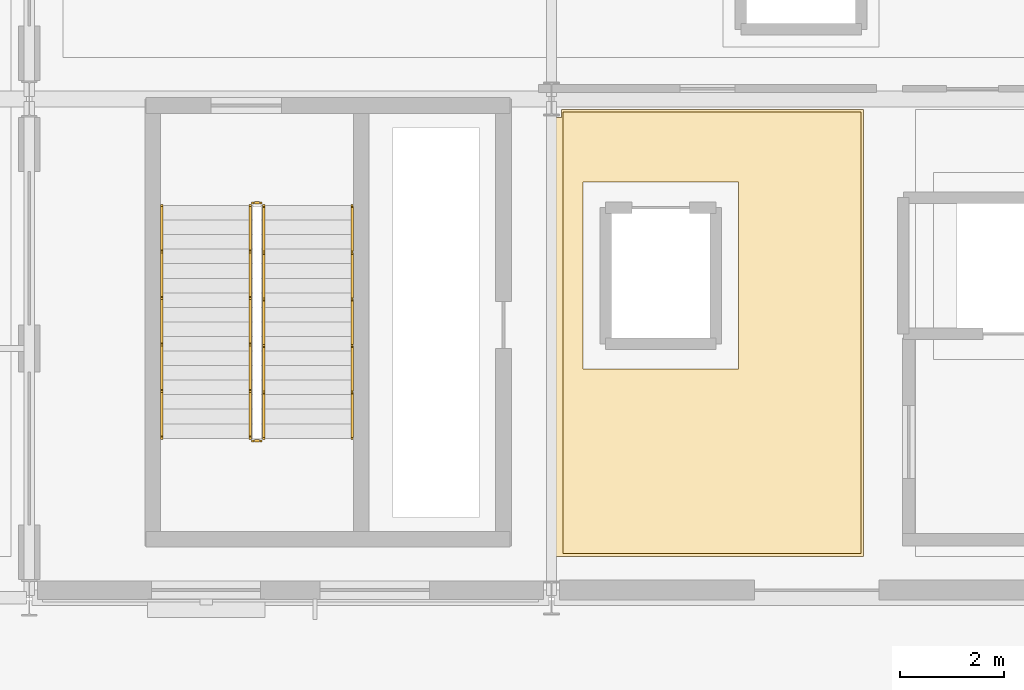
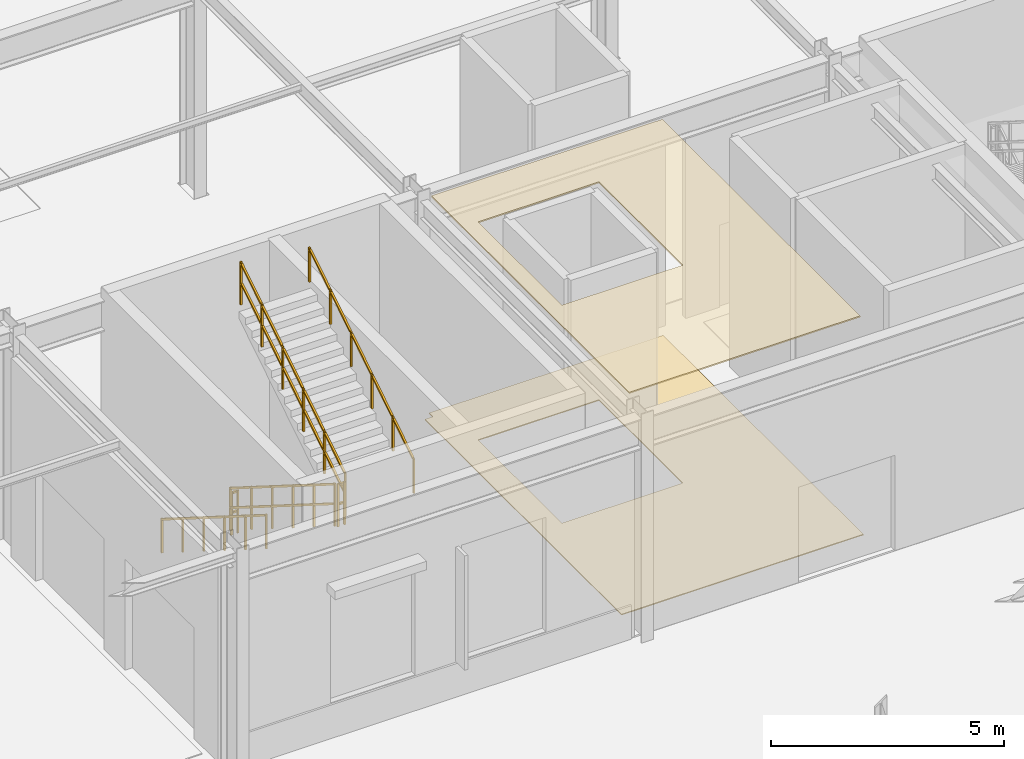
# One storey, part 83 of 113: 6 railings, 2 coverings.
"""IFC4 building model written with IfcOpenShell, lengths in metres."""

from ifc_helpers import new_model, si_unit, direction, frame, origin, origin_2d, place, context, subcontext, project, spatial, polyline, rectangle, outline, extrude, material, layer, layer_set, type_object, element, save


model = new_model("IFC4")

# Units and contexts
model_context = context("Model", 3, precision=1e-05, world=origin(), true_north=direction((0.0, 1.0)))
body_context = subcontext(model_context, "Body", "Model", "MODEL_VIEW")
ifc_project = project(units=[si_unit("LENGTHUNIT", "METRE"), si_unit("AREAUNIT", "SQUARE_METRE"), si_unit("VOLUMEUNIT", "CUBIC_METRE"), si_unit("PLANEANGLEUNIT", "RADIAN"), si_unit("MASSUNIT", "GRAM", prefix="KILO")], contexts=[model_context])

# Site, building, storey
site_placement = place(None, origin())
site = spatial("IfcSite", under=ifc_project, at=site_placement, CompositionType="ELEMENT")
building_placement = place(site_placement, origin())
building = spatial("IfcBuilding", under=site, at=building_placement, Name="Myrtia Square Station", CompositionType="ELEMENT")
storey_placement = place(building_placement, origin())
storey = spatial("IfcBuildingStorey", under=building, at=storey_placement, Name="L00", CompositionType="ELEMENT", Elevation=0.0)

# Coverings
ifc_material_1 = material(Name="Gypsum plasterboard")
ifc_layer_1 = layer(ifc_material_1, 0.034912109375, Name="Gypsum plasterboard")
ifc_layer_set_1 = layer_set([ifc_layer_1], Name="Gypsum plasterboard")
covering_type_1 = type_object("IfcCoveringType", Name="COV-CEIL-ACOUSTIC", PredefinedType="CEILING", material=ifc_layer_set_1)
covering_1_placement = place(storey_placement, frame((0.0, 0.0, 5.705078125)))
element("IfcCovering", 1, at=covering_1_placement, inside=storey, type_object=covering_type_1, Name="Acoustic coffer ceiling L00-04", PredefinedType="CEILING", context=body_context, shape_type="SweptSolid", body=[
    extrude(outline(polyline([(95.35009765625, 38.14990234375), (95.35009765625, 29.64990234375), (89.6201171875, 29.64990234375), (89.6201171875, 38.14990234375), (95.35009765625, 38.14990234375)]), holes=[polyline([(93.0, 36.800048828125), (90.0, 36.800048828125), (90.0, 33.199951171875), (93.0, 33.199951171875), (93.0, 36.800048828125)])]), origin(), (0.0, 0.0, 1.0), 0.034912109375),
])
ifc_material_2 = material(Name="Terrazzo stone tile", Category="masonry")
ifc_layer_2 = layer(ifc_material_2, 0.02490234375, Name="Terrazzo stone tile")
ifc_layer_set_2 = layer_set([ifc_layer_2], Name="Terrazzo stone tile")
covering_type_2 = type_object("IfcCoveringType", Name="COV-FLR-TERRAZZO", PredefinedType="FLOORING", material=ifc_layer_set_2)
covering_2_placement = place(storey_placement, origin())
element("IfcCovering", 2, at=covering_2_placement, inside=storey, type_object=covering_type_2, Name="Terrazzo room flooring L00-04", PredefinedType="FLOORING", context=body_context, shape_type="SweptSolid", body=[
    extrude(outline(polyline([(89.39990234375, 38.0400390625), (89.590087890625, 38.0400390625), (89.590087890625, 38.199951171875), (95.39990234375, 38.199951171875), (95.39990234375, 29.60009765625), (89.39990234375, 29.60009765625), (89.39990234375, 38.0400390625)]), holes=[polyline([(93.0, 33.199951171875), (93.0, 36.800048828125), (90.0, 36.800048828125), (90.0, 33.199951171875), (93.0, 33.199951171875)])]), origin(), (0.0, 0.0, 1.0), 0.02490234375),
])

# Railings
ifc_material_3 = material(Name="Dark bronze anodised aluminium", Category="aluminium")
railing_type_1 = type_object("IfcRailingType", Name="RL-HANDRAIL-900", PredefinedType="HANDRAIL", material=ifc_material_3)
railing_1_placement = place(storey_placement, frame((81.89990234375, 36.35009765625, 0.176513671875)))
element("IfcRailing", 3, at=railing_1_placement, inside=storey, type_object=railing_type_1, Name="L00 ST01 stair handrail 1", PredefinedType="HANDRAIL", context=body_context, shape_type="SweptSolid", body=[
    extrude(rectangle(XDim=0.048095703125, YDim=0.048095703125, at=origin_2d()), frame((0.0, -0.029296875, 0.894287109375), z_axis=(0.0, -0.845997938375, 0.533186166611), x_axis=(1.0, 0.0, 0.0)), (0.0, 0.0, 1.0), 0.98974609375),
    extrude(rectangle(XDim=0.048095703125, YDim=0.048095703125, at=origin_2d()), frame((0.0, -0.92529296875, 1.458984375), z_axis=(0.0, -0.845997938375, 0.533186166611), x_axis=(1.0, 0.0, 0.0)), (0.0, 0.0, 1.0), 0.98974609375),
    extrude(rectangle(XDim=0.048095703125, YDim=0.048095703125, at=origin_2d()), frame((0.0, -1.8212890625, 2.023681640625), z_axis=(0.0, -0.845997938375, 0.533186166611), x_axis=(1.0, 0.0, 0.0)), (0.0, 0.0, 1.0), 0.98974609375),
    extrude(rectangle(XDim=0.048095703125, YDim=0.048095703125, at=origin_2d()), frame((0.0, -2.71728515625, 2.58837890625), z_axis=(0.0, -0.845997938375, 0.533186166611), x_axis=(1.0, 0.0, 0.0)), (0.0, 0.0, 1.0), 0.98974609375),
    extrude(rectangle(XDim=0.048095703125, YDim=0.048095703125, at=origin_2d()), frame((0.0, -3.61328125, 3.153076171875), z_axis=(0.0, -0.845997938375, 0.533186166611), x_axis=(1.0, 0.0, 0.0)), (0.0, 0.0, 1.0), 0.98974609375),
    extrude(rectangle(XDim=0.0439453125, YDim=0.0439453125, at=origin_2d()), origin(), (0.0, 0.0, 1.0), 0.89990234375),
    extrude(rectangle(XDim=0.0439453125, YDim=0.0439453125, at=origin_2d()), frame((0.0, -0.89599609375, 0.564697265625)), (0.0, 0.0, 1.0), 0.89990234375),
    extrude(rectangle(XDim=0.0439453125, YDim=0.0439453125, at=origin_2d()), frame((0.0, -1.7919921875, 1.12939453125)), (0.0, 0.0, 1.0), 0.89990234375),
    extrude(rectangle(XDim=0.0439453125, YDim=0.0439453125, at=origin_2d()), frame((0.0, -2.68798828125, 1.694091796875)), (0.0, 0.0, 1.0), 0.89990234375),
    extrude(rectangle(XDim=0.0439453125, YDim=0.0439453125, at=origin_2d()), frame((0.0, -3.583984375, 2.2587890625)), (0.0, 0.0, 1.0), 0.89990234375),
    extrude(rectangle(XDim=0.0439453125, YDim=0.0439453125, at=origin_2d()), frame((0.0, -4.47998046875, 2.823486328125)), (0.0, 0.0, 1.0), 0.89990234375),
])
railing_2_placement = place(storey_placement, frame((85.56005859375, 31.8701171875, 3.176513671875)))
element("IfcRailing", 4, at=railing_2_placement, inside=storey, type_object=railing_type_1, Name="L00 ST01 stair handrail 2", PredefinedType="HANDRAIL", context=body_context, shape_type="SweptSolid", body=[
    extrude(rectangle(XDim=0.048095703125, YDim=0.048095703125, at=origin_2d()), frame((0.0, 0.029296875, 0.894287109375), z_axis=(0.0, 0.845997938375, 0.533186166611), x_axis=(-1.0, 0.0, 0.0)), (0.0, 0.0, 1.0), 0.98974609375),
    extrude(rectangle(XDim=0.048095703125, YDim=0.048095703125, at=origin_2d()), frame((0.0, 0.92529296875, 1.458984375), z_axis=(0.0, 0.845997938375, 0.533186166611), x_axis=(-1.0, 0.0, 0.0)), (0.0, 0.0, 1.0), 0.98974609375),
    extrude(rectangle(XDim=0.048095703125, YDim=0.048095703125, at=origin_2d()), frame((0.0, 1.8212890625, 2.023681640625), z_axis=(0.0, 0.845997938375, 0.533186166611), x_axis=(-1.0, 0.0, 0.0)), (0.0, 0.0, 1.0), 0.98974609375),
    extrude(rectangle(XDim=0.048095703125, YDim=0.048095703125, at=origin_2d()), frame((0.0, 2.71728515625, 2.58837890625), z_axis=(0.0, 0.845997938375, 0.533186166611), x_axis=(-1.0, 0.0, 0.0)), (0.0, 0.0, 1.0), 0.98974609375),
    extrude(rectangle(XDim=0.048095703125, YDim=0.048095703125, at=origin_2d()), frame((0.0, 3.61328125, 3.153076171875), z_axis=(0.0, 0.845997938375, 0.533186166611), x_axis=(-1.0, 0.0, 0.0)), (0.0, 0.0, 1.0), 0.98974609375),
    extrude(rectangle(XDim=0.0439453125, YDim=0.0439453125, at=origin_2d()), origin(), (0.0, 0.0, 1.0), 0.89990234375),
    extrude(rectangle(XDim=0.0439453125, YDim=0.0439453125, at=origin_2d()), frame((0.0, 0.89599609375, 0.564697265625)), (0.0, 0.0, 1.0), 0.89990234375),
    extrude(rectangle(XDim=0.0439453125, YDim=0.0439453125, at=origin_2d()), frame((0.0, 1.7919921875, 1.12939453125)), (0.0, 0.0, 1.0), 0.89990234375),
    extrude(rectangle(XDim=0.0439453125, YDim=0.0439453125, at=origin_2d()), frame((0.0, 2.68798828125, 1.694091796875)), (0.0, 0.0, 1.0), 0.89990234375),
    extrude(rectangle(XDim=0.0439453125, YDim=0.0439453125, at=origin_2d()), frame((0.0, 3.583984375, 2.2587890625)), (0.0, 0.0, 1.0), 0.89990234375),
    extrude(rectangle(XDim=0.0439453125, YDim=0.0439453125, at=origin_2d()), frame((0.0, 4.47998046875, 2.823486328125)), (0.0, 0.0, 1.0), 0.89990234375),
])
ifc_material_4 = material(Name="Wrought iron", Category="steel")
railing_type_2 = type_object("IfcRailingType", Name="RL-INT-GUARD-1100", PredefinedType="BALUSTRADE", material=ifc_material_4)
railing_3_placement = place(storey_placement, frame((83.60009765625, 36.35009765625, 0.176513671875)))
element("IfcRailing", 5, at=railing_3_placement, inside=storey, type_object=railing_type_2, Name="L00 ST01 stair guard 1", PredefinedType="BALUSTRADE", context=body_context, shape_type="SweptSolid", body=[
    extrude(rectangle(XDim=0.048095703125, YDim=0.048095703125, at=origin_2d()), frame((0.0, -0.029296875, 1.114501953125), z_axis=(0.0, -0.845997938375, 0.533186166611), x_axis=(1.0, 0.0, 0.0)), (0.0, 0.0, 1.0), 0.98974609375),
    extrude(rectangle(XDim=0.048095703125, YDim=0.048095703125, at=origin_2d()), frame((0.0, -0.029296875, 0.600830078125), z_axis=(0.0, -0.845997938375, 0.533186166611), x_axis=(1.0, 0.0, 0.0)), (0.0, 0.0, 1.0), 0.98974609375),
    extrude(rectangle(XDim=0.048095703125, YDim=0.048095703125, at=origin_2d()), frame((0.0, -0.92529296875, 1.67919921875), z_axis=(0.0, -0.845997938375, 0.533186166611), x_axis=(1.0, 0.0, 0.0)), (0.0, 0.0, 1.0), 0.98974609375),
    extrude(rectangle(XDim=0.048095703125, YDim=0.048095703125, at=origin_2d()), frame((0.0, -0.92529296875, 1.16552734375), z_axis=(0.0, -0.845997938375, 0.533186166611), x_axis=(1.0, 0.0, 0.0)), (0.0, 0.0, 1.0), 0.98974609375),
    extrude(rectangle(XDim=0.048095703125, YDim=0.048095703125, at=origin_2d()), frame((0.0, -1.8212890625, 2.243896484375), z_axis=(0.0, -0.845997938375, 0.533186166611), x_axis=(1.0, 0.0, 0.0)), (0.0, 0.0, 1.0), 0.98974609375),
    extrude(rectangle(XDim=0.048095703125, YDim=0.048095703125, at=origin_2d()), frame((0.0, -1.8212890625, 1.730224609375), z_axis=(0.0, -0.845997938375, 0.533186166611), x_axis=(1.0, 0.0, 0.0)), (0.0, 0.0, 1.0), 0.98974609375),
    extrude(rectangle(XDim=0.048095703125, YDim=0.048095703125, at=origin_2d()), frame((0.0, -2.71728515625, 2.80859375), z_axis=(0.0, -0.845997938375, 0.533186166611), x_axis=(1.0, 0.0, 0.0)), (0.0, 0.0, 1.0), 0.98974609375),
    extrude(rectangle(XDim=0.048095703125, YDim=0.048095703125, at=origin_2d()), frame((0.0, -2.71728515625, 2.294921875), z_axis=(0.0, -0.845997938375, 0.533186166611), x_axis=(1.0, 0.0, 0.0)), (0.0, 0.0, 1.0), 0.98974609375),
    extrude(rectangle(XDim=0.048095703125, YDim=0.048095703125, at=origin_2d()), frame((0.0, -3.61328125, 3.373291015625), z_axis=(0.0, -0.845997938375, 0.533186166611), x_axis=(1.0, 0.0, 0.0)), (0.0, 0.0, 1.0), 0.98974609375),
    extrude(rectangle(XDim=0.048095703125, YDim=0.048095703125, at=origin_2d()), frame((0.0, -3.61328125, 2.859619140625), z_axis=(0.0, -0.845997938375, 0.533186166611), x_axis=(1.0, 0.0, 0.0)), (0.0, 0.0, 1.0), 0.98974609375),
    extrude(rectangle(XDim=0.0439453125, YDim=0.0439453125, at=origin_2d()), origin(), (0.0, 0.0, 1.0), 1.1201171875),
    extrude(rectangle(XDim=0.0439453125, YDim=0.0439453125, at=origin_2d()), frame((0.0, -0.89599609375, 0.564697265625)), (0.0, 0.0, 1.0), 1.1201171875),
    extrude(rectangle(XDim=0.0439453125, YDim=0.0439453125, at=origin_2d()), frame((0.0, -1.7919921875, 1.12939453125)), (0.0, 0.0, 1.0), 1.1201171875),
    extrude(rectangle(XDim=0.0439453125, YDim=0.0439453125, at=origin_2d()), frame((0.0, -2.68798828125, 1.694091796875)), (0.0, 0.0, 1.0), 1.1201171875),
    extrude(rectangle(XDim=0.0439453125, YDim=0.0439453125, at=origin_2d()), frame((0.0, -3.583984375, 2.2587890625)), (0.0, 0.0, 1.0), 1.1201171875),
    extrude(rectangle(XDim=0.0439453125, YDim=0.0439453125, at=origin_2d()), frame((0.0, -4.47998046875, 2.823486328125)), (0.0, 0.0, 1.0), 1.1201171875),
])
railing_4_placement = place(storey_placement, frame((83.64990234375, 31.820068359375, 3.0)))
element("IfcRailing", 6, at=railing_4_placement, inside=storey, type_object=railing_type_2, Name="L00 ST01 stair guard 2", PredefinedType="BALUSTRADE", context=body_context, shape_type="SweptSolid", body=[
    extrude(rectangle(XDim=0.048095703125, YDim=0.048095703125, at=origin_2d()), frame((0.03466796875, 0.0, 1.09619140625), z_axis=(1.0, 0.0, 0.0), x_axis=(0.0, 1.0, 0.0)), (0.0, 0.0, 1.0), 0.0908203125),
    extrude(rectangle(XDim=0.048095703125, YDim=0.048095703125, at=origin_2d()), frame((0.03466796875, 0.0, 0.58251953125), z_axis=(1.0, 0.0, 0.0), x_axis=(0.0, 1.0, 0.0)), (0.0, 0.0, 1.0), 0.0908203125),
    extrude(rectangle(XDim=0.0439453125, YDim=0.0439453125, at=origin_2d()), origin(), (0.0, 0.0, 1.0), 1.1201171875),
    extrude(rectangle(XDim=0.0439453125, YDim=0.0439453125, at=origin_2d()), frame((0.16015625, 0.0, 0.0)), (0.0, 0.0, 1.0), 1.1201171875),
])
railing_5_placement = place(storey_placement, frame((83.860107421875, 31.8701171875, 3.176513671875)))
element("IfcRailing", 7, at=railing_5_placement, inside=storey, type_object=railing_type_2, Name="L00 ST01 stair guard 3", PredefinedType="BALUSTRADE", context=body_context, shape_type="SweptSolid", body=[
    extrude(rectangle(XDim=0.048095703125, YDim=0.048095703125, at=origin_2d()), frame((0.0, 0.029296875, 1.114501953125), z_axis=(0.0, 0.845997938375, 0.533186166611), x_axis=(-1.0, 0.0, 0.0)), (0.0, 0.0, 1.0), 0.98974609375),
    extrude(rectangle(XDim=0.048095703125, YDim=0.048095703125, at=origin_2d()), frame((0.0, 0.029296875, 0.600830078125), z_axis=(0.0, 0.845997938375, 0.533186166611), x_axis=(-1.0, 0.0, 0.0)), (0.0, 0.0, 1.0), 0.98974609375),
    extrude(rectangle(XDim=0.048095703125, YDim=0.048095703125, at=origin_2d()), frame((0.0, 0.92529296875, 1.67919921875), z_axis=(0.0, 0.845997938375, 0.533186166611), x_axis=(-1.0, 0.0, 0.0)), (0.0, 0.0, 1.0), 0.98974609375),
    extrude(rectangle(XDim=0.048095703125, YDim=0.048095703125, at=origin_2d()), frame((0.0, 0.92529296875, 1.16552734375), z_axis=(0.0, 0.845997938375, 0.533186166611), x_axis=(-1.0, 0.0, 0.0)), (0.0, 0.0, 1.0), 0.98974609375),
    extrude(rectangle(XDim=0.048095703125, YDim=0.048095703125, at=origin_2d()), frame((0.0, 1.8212890625, 2.243896484375), z_axis=(0.0, 0.845997938375, 0.533186166611), x_axis=(-1.0, 0.0, 0.0)), (0.0, 0.0, 1.0), 0.98974609375),
    extrude(rectangle(XDim=0.048095703125, YDim=0.048095703125, at=origin_2d()), frame((0.0, 1.8212890625, 1.730224609375), z_axis=(0.0, 0.845997938375, 0.533186166611), x_axis=(-1.0, 0.0, 0.0)), (0.0, 0.0, 1.0), 0.98974609375),
    extrude(rectangle(XDim=0.048095703125, YDim=0.048095703125, at=origin_2d()), frame((0.0, 2.71728515625, 2.80859375), z_axis=(0.0, 0.845997938375, 0.533186166611), x_axis=(-1.0, 0.0, 0.0)), (0.0, 0.0, 1.0), 0.98974609375),
    extrude(rectangle(XDim=0.048095703125, YDim=0.048095703125, at=origin_2d()), frame((0.0, 2.71728515625, 2.294921875), z_axis=(0.0, 0.845997938375, 0.533186166611), x_axis=(-1.0, 0.0, 0.0)), (0.0, 0.0, 1.0), 0.98974609375),
    extrude(rectangle(XDim=0.048095703125, YDim=0.048095703125, at=origin_2d()), frame((0.0, 3.61328125, 3.373291015625), z_axis=(0.0, 0.845997938375, 0.533186166611), x_axis=(-1.0, 0.0, 0.0)), (0.0, 0.0, 1.0), 0.98974609375),
    extrude(rectangle(XDim=0.048095703125, YDim=0.048095703125, at=origin_2d()), frame((0.0, 3.61328125, 2.859619140625), z_axis=(0.0, 0.845997938375, 0.533186166611), x_axis=(-1.0, 0.0, 0.0)), (0.0, 0.0, 1.0), 0.98974609375),
    extrude(rectangle(XDim=0.0439453125, YDim=0.0439453125, at=origin_2d()), origin(), (0.0, 0.0, 1.0), 1.1201171875),
    extrude(rectangle(XDim=0.0439453125, YDim=0.0439453125, at=origin_2d()), frame((0.0, 0.89599609375, 0.564697265625)), (0.0, 0.0, 1.0), 1.1201171875),
    extrude(rectangle(XDim=0.0439453125, YDim=0.0439453125, at=origin_2d()), frame((0.0, 1.7919921875, 1.12939453125)), (0.0, 0.0, 1.0), 1.1201171875),
    extrude(rectangle(XDim=0.0439453125, YDim=0.0439453125, at=origin_2d()), frame((0.0, 2.68798828125, 1.694091796875)), (0.0, 0.0, 1.0), 1.1201171875),
    extrude(rectangle(XDim=0.0439453125, YDim=0.0439453125, at=origin_2d()), frame((0.0, 3.583984375, 2.2587890625)), (0.0, 0.0, 1.0), 1.1201171875),
    extrude(rectangle(XDim=0.0439453125, YDim=0.0439453125, at=origin_2d()), frame((0.0, 4.47998046875, 2.823486328125)), (0.0, 0.0, 1.0), 1.1201171875),
])
railing_6_placement = place(storey_placement, frame((83.64990234375, 36.39990234375, 0.0)))
element("IfcRailing", 8, at=railing_6_placement, inside=storey, type_object=railing_type_2, Name="L00 ST01 stair guard 4", PredefinedType="BALUSTRADE", context=body_context, shape_type="SweptSolid", body=[
    extrude(rectangle(XDim=0.048095703125, YDim=0.048095703125, at=origin_2d()), frame((0.03466796875, 0.0, 1.09619140625), z_axis=(1.0, 0.0, 0.0), x_axis=(0.0, 1.0, 0.0)), (0.0, 0.0, 1.0), 0.0908203125),
    extrude(rectangle(XDim=0.048095703125, YDim=0.048095703125, at=origin_2d()), frame((0.03466796875, 0.0, 0.58251953125), z_axis=(1.0, 0.0, 0.0), x_axis=(0.0, 1.0, 0.0)), (0.0, 0.0, 1.0), 0.0908203125),
    extrude(rectangle(XDim=0.0439453125, YDim=0.0439453125, at=origin_2d()), origin(), (0.0, 0.0, 1.0), 1.1201171875),
    extrude(rectangle(XDim=0.0439453125, YDim=0.0439453125, at=origin_2d()), frame((0.16015625, 0.0, 0.0)), (0.0, 0.0, 1.0), 1.1201171875),
])

save(model, "model.ifc")
